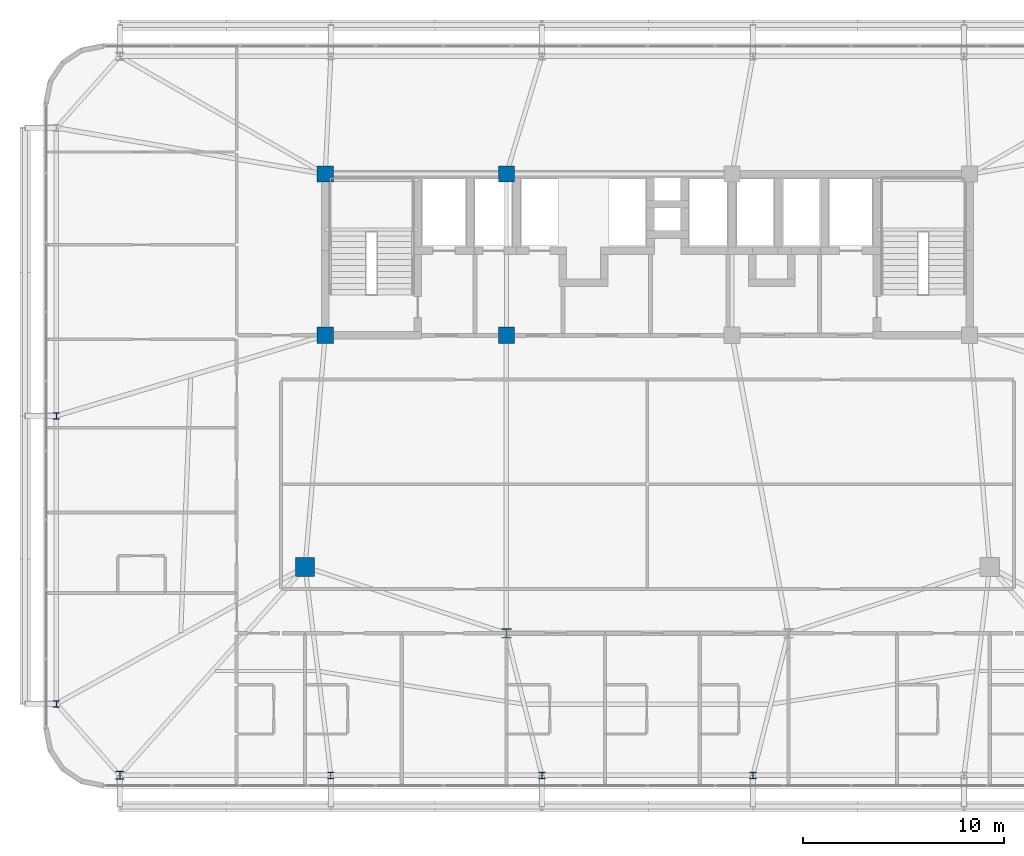
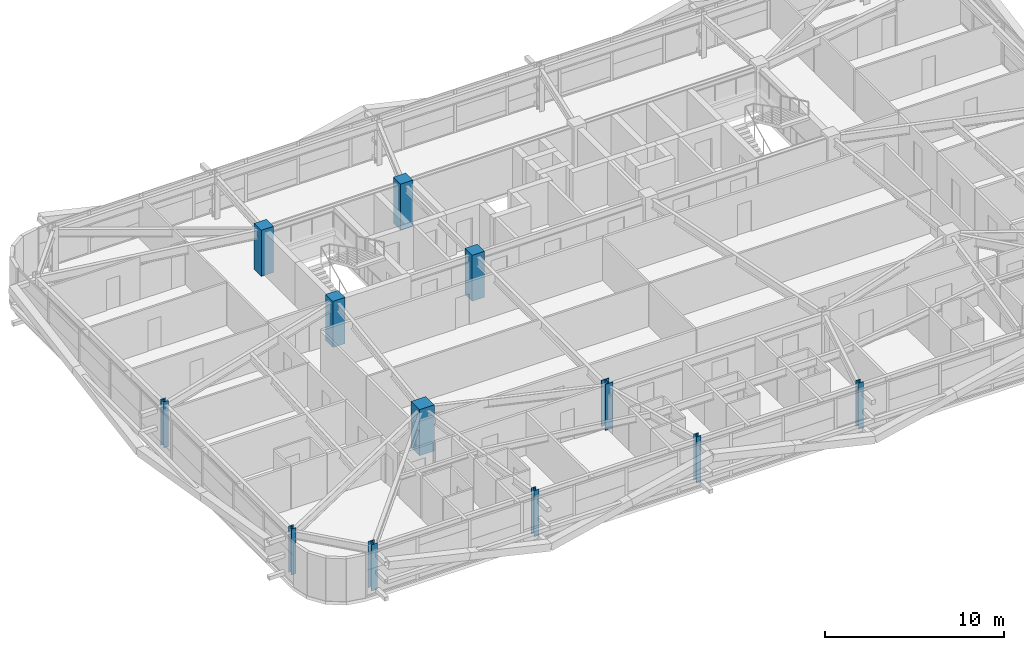
# One storey, part 1 of 59: 12 columns.
"""IFC4 building model written with IfcOpenShell, lengths in metres."""

from ifc_helpers import new_model, si_unit, direction, frame, origin, origin_2d, place, context, subcontext, project, spatial, rectangle, i_section, extrude, source, transform, mapped, material, material_profile, profile_set, type_object, element, save


model = new_model("IFC4")

# Units and contexts
model_context = context("Model", 3, precision=1e-05, world=origin(), true_north=direction((0.0, 1.0)))
body_context = subcontext(model_context, "Body", "Model", "MODEL_VIEW")
ifc_project = project(units=[si_unit("LENGTHUNIT", "METRE"), si_unit("AREAUNIT", "SQUARE_METRE"), si_unit("VOLUMEUNIT", "CUBIC_METRE"), si_unit("PLANEANGLEUNIT", "RADIAN"), si_unit("MASSUNIT", "GRAM", prefix="KILO")], contexts=[model_context])

# Site, building, storey
site_placement = place(None, origin())
site = spatial("IfcSite", under=ifc_project, at=site_placement, CompositionType="ELEMENT")
building_placement = place(site_placement, origin())
building = spatial("IfcBuilding", under=site, at=building_placement, Name="Taldren Reach Tower", CompositionType="ELEMENT")
storey_placement = place(building_placement, frame((0.0, 0.0, 19.949951171875)))
storey = spatial("IfcBuildingStorey", under=building, at=storey_placement, Name="L05", CompositionType="ELEMENT", Elevation=19.949951171875)

# Columns
ifc_material_1 = material(Name="Concrete S65 (65 MPa)", Category="concrete")
ifc_material_profile_1 = material_profile(ifc_material_1, rectangle(XDim=0.800048828125, YDim=0.800048828125, at=origin_2d()), Name="RC-800x800")
ifc_profile_set_1 = profile_set([ifc_material_profile_1], Name="Concrete S65 (65 MPa)")
column_type_1 = type_object("IfcColumnType", Name="COL-RC800", PredefinedType="COLUMN", material=ifc_profile_set_1)
shared_shape_1 = source(origin(), body_context, "Body", "SweptSolid", [
    extrude(rectangle(XDim=0.800048828125, YDim=0.800048828125, at=origin_2d()), origin(), (0.0, 0.0, 1.0), 3.150146484375),
])
for number, where, z_axis, x_axis, name in (
    (1, (19.0, 24.0, 0.0), (0.0, 0.0, 1.0), (1.0, 0.0, 0.0), "Mega column MC-C1 L05"),
    (2, (28.0, 24.0, 0.0), (0.0, 0.0, 1.0), (1.0, 0.0, 0.0), "Mega column MC-C2 L05"),
    (3, (19.0, 32.0, 0.0), (0.0, 0.0, 1.0), (1.0, 0.0, 0.0), "Mega column MC-C5 L05"),
    (4, (28.0, 32.0, 0.0), (0.0, 0.0, 1.0), (1.0, 0.0, 0.0), "Mega column MC-C6 L05"),
):
    element("IfcColumn", number, at=place(storey_placement, frame(where, z_axis=z_axis, x_axis=x_axis)), inside=storey, type_object=column_type_1, Name=name, PredefinedType="COLUMN", context=body_context, shape_type="MappedRepresentation", body=[
        mapped(shared_shape_1, transform((0.0, 0.0, 0.0), scale=1.0)),
    ])
ifc_material_2 = material(Name="Steel Gr 350 (350PLUS)", Category="steel")
ifc_material_profile_2 = material_profile(ifc_material_2, i_section(OverallWidth=0.5, OverallDepth=0.47998046875, WebThickness=0.028076171875, FlangeThickness=0.0439453125, at=origin_2d()), Name="500WC440")
ifc_profile_set_2 = profile_set([ifc_material_profile_2], Name="Steel Gr 350 (350PLUS)")
column_type_2 = type_object("IfcColumnType", Name="COL-WC500A", PredefinedType="COLUMN", material=ifc_profile_set_2)
shared_shape_2 = source(origin(), body_context, "Body", "SweptSolid", [
    extrude(i_section(OverallWidth=0.5, OverallDepth=0.47998046875, WebThickness=0.028076171875, FlangeThickness=0.0439453125, at=origin_2d()), origin(), (0.0, 0.0, 1.0), 3.150146484375),
])
column_1_placement = place(storey_placement, frame((28.0, 9.199951171875, 0.0), z_axis=(0.0, 0.0, 1.0), x_axis=(1.0, 0.0, 0.0)))
element("IfcColumn", 5, at=column_1_placement, inside=storey, type_object=column_type_2, Name="Mega column MC-PJW L05", PredefinedType="COLUMN", context=body_context, shape_type="MappedRepresentation", body=[
    mapped(shared_shape_2, transform((0.0, 0.0, 0.0), scale=1.0)),
])
ifc_material_3 = material(Name="Concrete S80 (80 MPa)", Category="concrete")
ifc_material_profile_3 = material_profile(ifc_material_3, rectangle(XDim=0.949951171875, YDim=0.949951171875, at=origin_2d()), Name="RC-950x950")
ifc_profile_set_3 = profile_set([ifc_material_profile_3], Name="Concrete S80 (80 MPa)")
column_type_3 = type_object("IfcColumnType", Name="COL-RC950", PredefinedType="COLUMN", material=ifc_profile_set_3)
shared_shape_3 = source(origin(), body_context, "Body", "SweptSolid", [
    extrude(rectangle(XDim=0.949951171875, YDim=0.949951171875, at=origin_2d()), origin(), (0.0, 0.0, 1.0), 3.150146484375),
])
column_2_placement = place(storey_placement, frame((18.0, 12.5, 0.0), z_axis=(0.0, 0.0, 1.0), x_axis=(1.0, 0.0, 0.0)))
element("IfcColumn", 6, at=column_2_placement, inside=storey, type_object=column_type_3, Name="Mega column MC-SW L05", PredefinedType="COLUMN", context=body_context, shape_type="MappedRepresentation", body=[
    mapped(shared_shape_3, transform((0.0, 0.0, 0.0), scale=1.0)),
])
ifc_material_profile_4 = material_profile(ifc_material_2, i_section(OverallWidth=0.39990234375, OverallDepth=0.39599609375, WebThickness=0.02197265625, FlangeThickness=0.033935546875, at=origin_2d()), Name="400WC270")
ifc_profile_set_4 = profile_set([ifc_material_profile_4], Name="Steel Gr 350 (350PLUS)")
column_type_4 = type_object("IfcColumnType", Name="COL-WC400", PredefinedType="COLUMN", material=ifc_profile_set_4)
shared_shape_4 = source(origin(), body_context, "Body", "SweptSolid", [
    extrude(i_section(OverallWidth=0.39990234375, OverallDepth=0.39599609375, WebThickness=0.02197265625, FlangeThickness=0.033935546875, at=origin_2d()), origin(), (0.0, 0.0, 1.0), 3.150146484375),
])
column_3_placement = place(storey_placement, frame((8.800048828125, 2.14990234375, 0.0), z_axis=(0.0, 0.0, 1.0), x_axis=(1.0, 0.0, 0.0)))
element("IfcColumn", 7, at=column_3_placement, inside=storey, type_object=column_type_4, Name="Block B1 perimeter column S1 L05", PredefinedType="COLUMN", context=body_context, shape_type="MappedRepresentation", body=[
    mapped(shared_shape_4, transform((0.0, 0.0, 0.0), scale=1.0)),
])
ifc_material_profile_5 = material_profile(ifc_material_2, i_section(OverallWidth=0.31103515625, OverallDepth=0.326904296875, WebThickness=0.015625, FlangeThickness=0.02490234375, at=origin_2d()), Name="310UC158")
ifc_profile_set_5 = profile_set([ifc_material_profile_5], Name="Steel Gr 350 (350PLUS)")
column_type_5 = type_object("IfcColumnType", Name="COL-UC310A", PredefinedType="COLUMN", material=ifc_profile_set_5)
shared_shape_5 = source(origin(), body_context, "Body", "SweptSolid", [
    extrude(i_section(OverallWidth=0.31103515625, OverallDepth=0.326904296875, WebThickness=0.015625, FlangeThickness=0.02490234375, at=origin_2d()), origin(), (0.0, 0.0, 1.0), 3.150146484375),
])
for number, where, z_axis, x_axis, name in (
    (8, (19.280029296875, 2.14990234375, 0.0), (0.0, 0.0, 1.0), (1.0, 0.0, 0.0), "Block B1 perimeter column S2 L05"),
    (9, (29.760009765625, 2.14990234375, 0.0), (0.0, 0.0, 1.0), (1.0, 0.0, 0.0), "Block B1 perimeter column S3 L05"),
    (10, (40.239990234375, 2.14990234375, 0.0), (0.0, 0.0, 1.0), (1.0, 0.0, 0.0), "Block B1 perimeter column S4 L05"),
    (11, (5.64990234375, 5.699951171875, 0.0), (0.0, 0.0, 1.0), (1.0, 0.0, 0.0), "Block B1 perimeter column W1 L05"),
    (12, (5.64990234375, 20.0, 0.0), (0.0, 0.0, 1.0), (1.0, 0.0, 0.0), "Block B1 perimeter column W2 L05"),
):
    element("IfcColumn", number, at=place(storey_placement, frame(where, z_axis=z_axis, x_axis=x_axis)), inside=storey, type_object=column_type_5, Name=name, PredefinedType="COLUMN", context=body_context, shape_type="MappedRepresentation", body=[
        mapped(shared_shape_5, transform((0.0, 0.0, 0.0), scale=1.0)),
    ])

save(model, "model.ifc")
